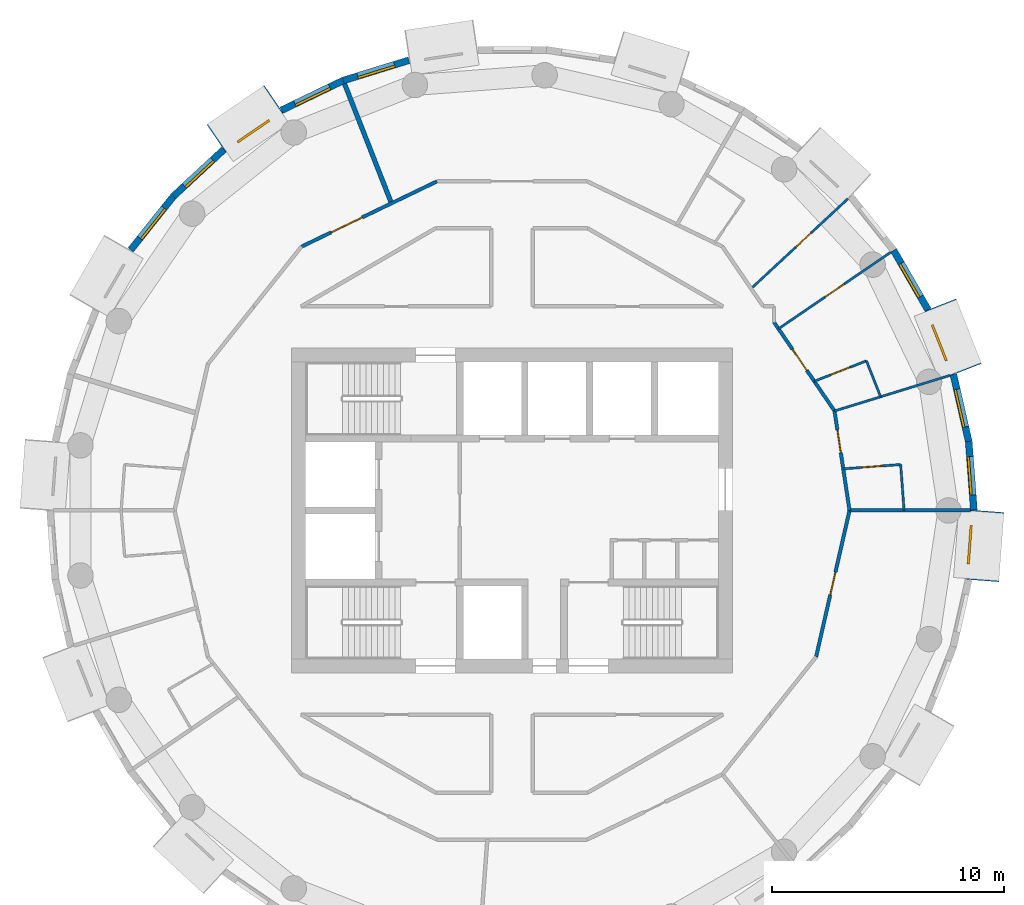
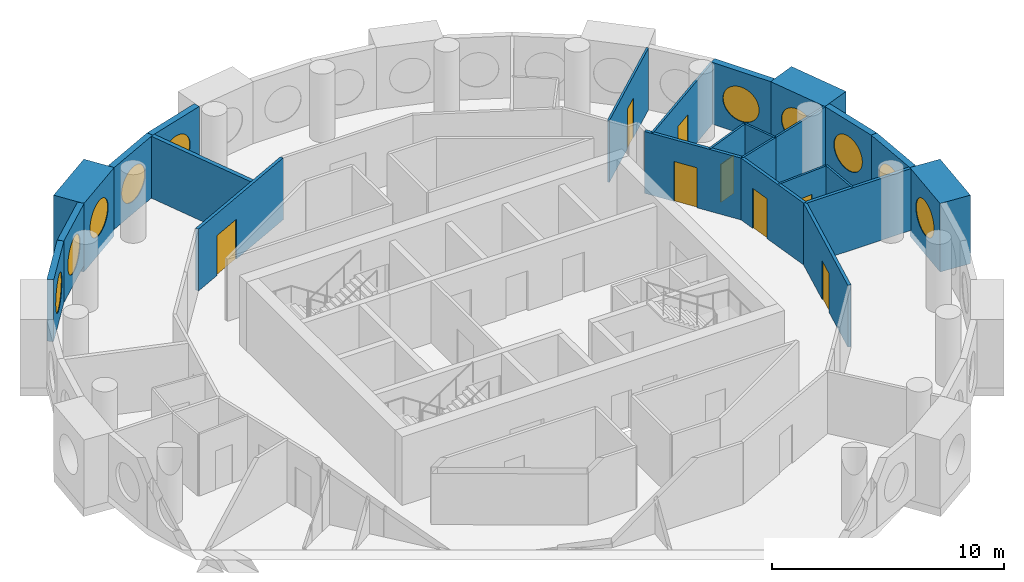
# One storey, part 9 of 12: 24 walls, 10 windows, 8 doors, 18 openings.
"""IFC4 building model written with IfcOpenShell, lengths in metres."""

from ifc_helpers import new_model, si_unit, direction, frame, frame_2d, origin, origin_2d, place, context, subcontext, project, spatial, rectangle, circle, extrude, material, layer, layer_set, type_object, element, fill, save


model = new_model("IFC4")

# Units and contexts
model_context = context("Model", 3, precision=1e-05, world=origin(), true_north=direction((0.0, 1.0)))
body_context = subcontext(model_context, "Body", "Model", "MODEL_VIEW")
ifc_project = project(units=[si_unit("LENGTHUNIT", "METRE"), si_unit("AREAUNIT", "SQUARE_METRE"), si_unit("VOLUMEUNIT", "CUBIC_METRE"), si_unit("PLANEANGLEUNIT", "RADIAN"), si_unit("MASSUNIT", "GRAM", prefix="KILO")], contexts=[model_context])

# Site, building, storey
site_placement = place(None, origin())
site = spatial("IfcSite", under=ifc_project, at=site_placement, CompositionType="ELEMENT")
building_placement = place(site_placement, origin())
building = spatial("IfcBuilding", under=site, at=building_placement, Name="Tracery Tower", CompositionType="ELEMENT")
storey_placement = place(building_placement, frame((0.0, 0.0, 234.60009765625)))
storey = spatial("IfcBuildingStorey", under=building, at=storey_placement, Name="L60", CompositionType="ELEMENT", Elevation=234.60009765625)

# Wall, opening, window
ifc_material_1 = material(Name="Precast concrete C50/60", Category="concrete")
ifc_layer_1 = layer(ifc_material_1, 1.449951171875)
ifc_layer_set_1 = layer_set([ifc_layer_1], Name="Deep-set bay unit 3000 x 3600, slab edge 350")
wall_type_1 = type_object("IfcWallType", Name="Deep-set bay unit 3000 x 3600, slab edge 350", PredefinedType="ELEMENTEDWALL", material=ifc_layer_set_1)
wall_1_placement = place(storey_placement, frame((19.576171875, 6.071533203125, -0.35009765625), z_axis=(0.0, 0.0, 1.0), x_axis=(-0.36537792632, 0.93085926485, 0.0)))
wall_1 = element("IfcWall", 1, at=wall_1_placement, inside=storey, type_object=wall_type_1, Name="Deep-set bay unit 3 at L60", PredefinedType="ELEMENTEDWALL", context=body_context, shape_type="SweptSolid", body=[
    extrude(rectangle(XDim=3.000244140625, YDim=1.449951171875, at=frame_2d((1.5, 0.0))), origin(), (0.0, 0.0, 1.0), 3.60009765625),
])
opening_1_placement = place(wall_1_placement, frame((1.5, 0.0, 1.89990234375)))
opening_1 = element("IfcOpeningElement", 2, at=opening_1_placement, cuts=wall_1, Name="Opening WN1", PredefinedType="OPENING", context=body_context, shape_type="SweptSolid", body=[
    extrude(circle(Radius=0.9000244140625, at=origin_2d()), frame((0.0, 0.73486328125, 0.0), z_axis=(0.0, -1.0, 0.0), x_axis=(1.0, 0.0, 0.0)), (0.0, 0.0, 1.0), 1.469970703125),
])
ifc_material_2 = material(Name="Aluminium frame with tinted double glazing", Category="aluminium")
window_type = type_object("IfcWindowType", Name="Round window 1800", PartitioningType="SINGLE_PANEL", PredefinedType="WINDOW", material=ifc_material_2)
window_1_placement = place(opening_1_placement, origin())
window_1 = element("IfcWindow", 3, at=window_1_placement, inside=storey, type_object=window_type, Name="Round window 3 at L60", OverallHeight=1.800048828125, OverallWidth=1.800048828125, PartitioningType="SINGLE_PANEL", PredefinedType="WINDOW", context=body_context, shape_type="SweptSolid", body=[
    extrude(circle(Radius=0.9000244140625, at=origin_2d()), frame((0.0, 0.69482421875, 0.0), z_axis=(0.0, -1.0, 0.0), x_axis=(1.0, 0.0, 0.0)), (0.0, 0.0, 1.0), 0.10009765625),
])
fill(opening_1, window_1)

wall_2_placement = place(storey_placement, frame((-10.275390625, 17.734130859375, -0.35009765625), z_axis=(0.0, 0.0, 1.0), x_axis=(-0.826246281157, -0.563309047392, 0.0)))
wall_2 = element("IfcWall", 4, at=wall_2_placement, inside=storey, type_object=wall_type_1, Name="Deep-set bay unit 15 at L60", PredefinedType="ELEMENTEDWALL", context=body_context, shape_type="SweptSolid", body=[
    extrude(rectangle(XDim=3.0, YDim=1.449951171875, at=frame_2d((1.5, 0.0))), origin(), (0.0, 0.0, 1.0), 3.60009765625),
])
opening_2_placement = place(wall_2_placement, frame((1.5, 0.0, 1.89990234375)))
opening_2 = element("IfcOpeningElement", 5, at=opening_2_placement, cuts=wall_2, Name="Opening WN1", PredefinedType="OPENING", context=body_context, shape_type="SweptSolid", body=[
    extrude(circle(Radius=0.9000244140625, at=origin_2d()), frame((0.0, 0.73486328125, 0.0), z_axis=(0.0, -1.0, 0.0), x_axis=(1.0, 0.0, 0.0)), (0.0, 0.0, 1.0), 1.469970703125),
])
window_2_placement = place(opening_2_placement, origin())
window_2 = element("IfcWindow", 6, at=window_2_placement, inside=storey, type_object=window_type, Name="Round window 15 at L60", OverallHeight=1.800048828125, OverallWidth=1.800048828125, PartitioningType="SINGLE_PANEL", PredefinedType="WINDOW", context=body_context, shape_type="SweptSolid", body=[
    extrude(circle(Radius=0.9000244140625, at=origin_2d()), frame((0.0, 0.69482421875, 0.0), z_axis=(0.0, -1.0, 0.0), x_axis=(1.0, 0.0, 0.0)), (0.0, 0.0, 1.0), 0.10009765625),
])
fill(opening_2, window_2)

wall_3_placement = place(storey_placement, frame((20.271728515625, -3.0234375, -0.35009765625), z_axis=(0.0, 0.0, 1.0), x_axis=(0.074785902127, 0.997199613339, 0.0)))
wall_3 = element("IfcWall", 7, at=wall_3_placement, inside=storey, type_object=wall_type_1, Name="Deep-set bay unit 42 at L60", PredefinedType="ELEMENTEDWALL", context=body_context, shape_type="SweptSolid", body=[
    extrude(rectangle(XDim=3.0, YDim=1.449951171875, at=frame_2d((1.5, 0.0))), origin(), (0.0, 0.0, 1.0), 3.60009765625),
])
opening_3_placement = place(wall_3_placement, frame((1.5, 0.0, 1.89990234375)))
opening_3 = element("IfcOpeningElement", 8, at=opening_3_placement, cuts=wall_3, Name="Opening WN1", PredefinedType="OPENING", context=body_context, shape_type="SweptSolid", body=[
    extrude(circle(Radius=0.9000244140625, at=origin_2d()), frame((0.0, 0.73486328125, 0.0), z_axis=(0.0, -1.0, 0.0), x_axis=(1.0, 0.0, 0.0)), (0.0, 0.0, 1.0), 1.469970703125),
])
window_3_placement = place(opening_3_placement, origin())
window_3 = element("IfcWindow", 9, at=window_3_placement, inside=storey, type_object=window_type, Name="Round window 42 at L60", OverallHeight=1.800048828125, OverallWidth=1.800048828125, PartitioningType="SINGLE_PANEL", PredefinedType="WINDOW", context=body_context, shape_type="SweptSolid", body=[
    extrude(circle(Radius=0.9000244140625, at=origin_2d()), frame((0.0, 0.69482421875, 0.0), z_axis=(0.0, -1.0, 0.0), x_axis=(1.0, 0.0, 0.0)), (0.0, 0.0, 1.0), 0.10009765625),
])
fill(opening_3, window_3)

ifc_material_3 = material(Name="Precast concrete C50/60", Category="concrete")
ifc_layer_2 = layer(ifc_material_3, 0.300048828125)
ifc_layer_set_2 = layer_set([ifc_layer_2], Name="Facade panel 3000 x 3250")
wall_type_2 = type_object("IfcWallType", Name="Facade panel 3000 x 3250", PredefinedType="SOLIDWALL", material=ifc_layer_set_2)
wall_4_placement = place(storey_placement, frame((19.920654296875, 0.01513671875, 0.0), z_axis=(0.0, 0.0, 1.0), x_axis=(-0.07474897196, 0.997202382263, 0.0)))
wall_4 = element("IfcWall", 10, at=wall_4_placement, inside=storey, type_object=wall_type_2, Name="Facade panel 1 at L60", PredefinedType="SOLIDWALL", context=body_context, shape_type="SweptSolid", body=[
    extrude(rectangle(XDim=2.96240234375, YDim=0.300048828125, at=frame_2d((1.481201171875, 0.0))), origin(), (0.0, 0.0, 1.0), 3.25),
])
opening_4_placement = place(wall_4_placement, frame((1.48095703125, 0.0, 1.5498046875)))
opening_4 = element("IfcOpeningElement", 11, at=opening_4_placement, cuts=wall_4, Name="Opening WN1", PredefinedType="OPENING", context=body_context, shape_type="SweptSolid", body=[
    extrude(circle(Radius=0.9000244140625, at=origin_2d()), frame((0.0, 0.159912109375, 0.0), z_axis=(0.0, -1.0, 0.0), x_axis=(1.0, 0.0, 0.0)), (0.0, 0.0, 1.0), 0.320068359375),
])
window_4_placement = place(opening_4_placement, origin())
window_4 = element("IfcWindow", 12, at=window_4_placement, inside=storey, type_object=window_type, Name="Round window 1 at L60", OverallHeight=1.800048828125, OverallWidth=1.800048828125, PartitioningType="SINGLE_PANEL", PredefinedType="WINDOW", context=body_context, shape_type="SweptSolid", body=[
    extrude(circle(Radius=0.9000244140625, at=origin_2d()), frame((0.0, 0.1201171875, 0.0), z_axis=(0.0, -1.0, 0.0), x_axis=(1.0, 0.0, 0.0)), (0.0, 0.0, 1.0), 0.10009765625),
])
fill(opening_4, window_4)

wall_5_placement = place(storey_placement, frame((19.69921875, 2.96923828125, 0.0), z_axis=(0.0, 0.0, 1.0), x_axis=(-0.222529389789, 0.974925982155, 0.0)))
wall_5 = element("IfcWall", 13, at=wall_5_placement, inside=storey, type_object=wall_type_2, Name="Facade panel 2 at L60", PredefinedType="SOLIDWALL", context=body_context, shape_type="SweptSolid", body=[
    extrude(rectangle(XDim=2.962158203125, YDim=0.300048828125, at=frame_2d((1.48095703125, 0.0))), origin(), (0.0, 0.0, 1.0), 3.25),
])
opening_5_placement = place(wall_5_placement, frame((1.48095703125, 0.0, 1.5498046875)))
opening_5 = element("IfcOpeningElement", 14, at=opening_5_placement, cuts=wall_5, Name="Opening WN1", PredefinedType="OPENING", context=body_context, shape_type="SweptSolid", body=[
    extrude(circle(Radius=0.9000244140625, at=origin_2d()), frame((0.0, 0.159912109375, 0.0), z_axis=(0.0, -1.0, 0.0), x_axis=(1.0, 0.0, 0.0)), (0.0, 0.0, 1.0), 0.320068359375),
])
window_5_placement = place(opening_5_placement, origin())
window_5 = element("IfcWindow", 15, at=window_5_placement, inside=storey, type_object=window_type, Name="Round window 2 at L60", OverallHeight=1.800048828125, OverallWidth=1.800048828125, PartitioningType="SINGLE_PANEL", PredefinedType="WINDOW", context=body_context, shape_type="SweptSolid", body=[
    extrude(circle(Radius=0.9000244140625, at=origin_2d()), frame((0.0, 0.1201171875, 0.0), z_axis=(0.0, -1.0, 0.0), x_axis=(1.0, 0.0, 0.0)), (0.0, 0.0, 1.0), 0.10009765625),
])
fill(opening_5, window_5)

wall_6_placement = place(storey_placement, frame((17.941162109375, 8.656982421875, 0.0), z_axis=(0.0, 0.0, 1.0), x_axis=(-0.499950756475, 0.86605383268, 0.0)))
wall_6 = element("IfcWall", 16, at=wall_6_placement, inside=storey, type_object=wall_type_2, Name="Facade panel 4 at L60", PredefinedType="SOLIDWALL", context=body_context, shape_type="SweptSolid", body=[
    extrude(rectangle(XDim=2.962158203125, YDim=0.300048828125, at=frame_2d((1.48095703125, 0.0))), origin(), (0.0, 0.0, 1.0), 3.25),
])
opening_6_placement = place(wall_6_placement, frame((1.48095703125, 0.0, 1.5498046875)))
opening_6 = element("IfcOpeningElement", 17, at=opening_6_placement, cuts=wall_6, Name="Opening WN1", PredefinedType="OPENING", context=body_context, shape_type="SweptSolid", body=[
    extrude(circle(Radius=0.9000244140625, at=origin_2d()), frame((0.0, 0.159912109375, 0.0), z_axis=(0.0, -1.0, 0.0), x_axis=(1.0, 0.0, 0.0)), (0.0, 0.0, 1.0), 0.320068359375),
])
window_6_placement = place(opening_6_placement, origin())
window_6 = element("IfcWindow", 18, at=window_6_placement, inside=storey, type_object=window_type, Name="Round window 4 at L60", OverallHeight=1.800048828125, OverallWidth=1.800048828125, PartitioningType="SINGLE_PANEL", PredefinedType="WINDOW", context=body_context, shape_type="SweptSolid", body=[
    extrude(circle(Radius=0.9000244140625, at=origin_2d()), frame((0.0, 0.1201171875, 0.0), z_axis=(0.0, -1.0, 0.0), x_axis=(1.0, 0.0, 0.0)), (0.0, 0.0, 1.0), 0.10009765625),
])
fill(opening_6, window_6)

wall_7_placement = place(storey_placement, frame((-4.447509765625, 19.417724609375, 0.0), z_axis=(0.0, 0.0, 1.0), x_axis=(-0.95558635705, -0.294711238707, 0.0)))
wall_7 = element("IfcWall", 19, at=wall_7_placement, inside=storey, type_object=wall_type_2, Name="Facade panel 13 at L60", PredefinedType="SOLIDWALL", context=body_context, shape_type="SweptSolid", body=[
    extrude(rectangle(XDim=2.96240234375, YDim=0.300048828125, at=frame_2d((1.481201171875, 0.0))), origin(), (0.0, 0.0, 1.0), 3.25),
])
opening_7_placement = place(wall_7_placement, frame((1.48095703125, 0.0, 1.5498046875)))
opening_7 = element("IfcOpeningElement", 20, at=opening_7_placement, cuts=wall_7, Name="Opening WN1", PredefinedType="OPENING", context=body_context, shape_type="SweptSolid", body=[
    extrude(circle(Radius=0.9000244140625, at=origin_2d()), frame((0.0, 0.159912109375, 0.0), z_axis=(0.0, -1.0, 0.0), x_axis=(1.0, 0.0, 0.0)), (0.0, 0.0, 1.0), 0.320068359375),
])
window_7_placement = place(opening_7_placement, origin())
window_7 = element("IfcWindow", 21, at=window_7_placement, inside=storey, type_object=window_type, Name="Round window 13 at L60", OverallHeight=1.800048828125, OverallWidth=1.800048828125, PartitioningType="SINGLE_PANEL", PredefinedType="WINDOW", context=body_context, shape_type="SweptSolid", body=[
    extrude(circle(Radius=0.9000244140625, at=origin_2d()), frame((0.0, 0.1201171875, 0.0), z_axis=(0.0, -1.0, 0.0), x_axis=(1.0, 0.0, 0.0)), (0.0, 0.0, 1.0), 0.10009765625),
])
fill(opening_7, window_7)

wall_8_placement = place(storey_placement, frame((-7.2783203125, 18.544677734375, 0.0), z_axis=(0.0, 0.0, 1.0), x_axis=(-0.900939615635, -0.433944476838, 0.0)))
wall_8 = element("IfcWall", 22, at=wall_8_placement, inside=storey, type_object=wall_type_2, Name="Facade panel 14 at L60", PredefinedType="SOLIDWALL", context=body_context, shape_type="SweptSolid", body=[
    extrude(rectangle(XDim=2.962158203125, YDim=0.300048828125, at=frame_2d((1.48095703125, 0.0))), origin(), (0.0, 0.0, 1.0), 3.25),
])
opening_8_placement = place(wall_8_placement, frame((1.48095703125, 0.0, 1.5498046875)))
opening_8 = element("IfcOpeningElement", 23, at=opening_8_placement, cuts=wall_8, Name="Opening WN1", PredefinedType="OPENING", context=body_context, shape_type="SweptSolid", body=[
    extrude(circle(Radius=0.9000244140625, at=origin_2d()), frame((0.0, 0.159912109375, 0.0), z_axis=(0.0, -1.0, 0.0), x_axis=(1.0, 0.0, 0.0)), (0.0, 0.0, 1.0), 0.320068359375),
])
window_8_placement = place(opening_8_placement, origin())
window_8 = element("IfcWindow", 24, at=window_8_placement, inside=storey, type_object=window_type, Name="Round window 14 at L60", OverallHeight=1.800048828125, OverallWidth=1.800048828125, PartitioningType="SINGLE_PANEL", PredefinedType="WINDOW", context=body_context, shape_type="SweptSolid", body=[
    extrude(circle(Radius=0.9000244140625, at=origin_2d()), frame((0.0, 0.1201171875, 0.0), z_axis=(0.0, -1.0, 0.0), x_axis=(1.0, 0.0, 0.0)), (0.0, 0.0, 1.0), 0.10009765625),
])
fill(opening_8, window_8)

wall_9_placement = place(storey_placement, frame((-12.43212890625, 15.565185546875, 0.0), z_axis=(0.0, 0.0, 1.0), x_axis=(-0.733066412643, -0.680157066165, 0.0)))
wall_9 = element("IfcWall", 25, at=wall_9_placement, inside=storey, type_object=wall_type_2, Name="Facade panel 16 at L60", PredefinedType="SOLIDWALL", context=body_context, shape_type="SweptSolid", body=[
    extrude(rectangle(XDim=2.96240234375, YDim=0.300048828125, at=frame_2d((1.481201171875, 0.0))), origin(), (0.0, 0.0, 1.0), 3.25),
])
opening_9_placement = place(wall_9_placement, frame((1.48095703125, 0.0, 1.5498046875)))
opening_9 = element("IfcOpeningElement", 26, at=opening_9_placement, cuts=wall_9, Name="Opening WN1", PredefinedType="OPENING", context=body_context, shape_type="SweptSolid", body=[
    extrude(circle(Radius=0.9000244140625, at=origin_2d()), frame((0.0, 0.159912109375, 0.0), z_axis=(0.0, -1.0, 0.0), x_axis=(1.0, 0.0, 0.0)), (0.0, 0.0, 1.0), 0.320068359375),
])
window_9_placement = place(opening_9_placement, origin())
window_9 = element("IfcWindow", 27, at=window_9_placement, inside=storey, type_object=window_type, Name="Round window 16 at L60", OverallHeight=1.800048828125, OverallWidth=1.800048828125, PartitioningType="SINGLE_PANEL", PredefinedType="WINDOW", context=body_context, shape_type="SweptSolid", body=[
    extrude(circle(Radius=0.9000244140625, at=origin_2d()), frame((0.0, 0.1201171875, 0.0), z_axis=(0.0, -1.0, 0.0), x_axis=(1.0, 0.0, 0.0)), (0.0, 0.0, 1.0), 0.10009765625),
])
fill(opening_9, window_9)

wall_10_placement = place(storey_placement, frame((-14.603759765625, 13.55029296875, 0.0), z_axis=(0.0, 0.0, 1.0), x_axis=(-0.623498236992, -0.781824755599, 0.0)))
wall_10 = element("IfcWall", 28, at=wall_10_placement, inside=storey, type_object=wall_type_2, Name="Facade panel 17 at L60", PredefinedType="SOLIDWALL", context=body_context, shape_type="SweptSolid", body=[
    extrude(rectangle(XDim=2.962158203125, YDim=0.300048828125, at=frame_2d((1.48095703125, 0.0))), origin(), (0.0, 0.0, 1.0), 3.25),
])
opening_10_placement = place(wall_10_placement, frame((1.48095703125, 0.0, 1.5498046875)))
opening_10 = element("IfcOpeningElement", 29, at=opening_10_placement, cuts=wall_10, Name="Opening WN1", PredefinedType="OPENING", context=body_context, shape_type="SweptSolid", body=[
    extrude(circle(Radius=0.9000244140625, at=origin_2d()), frame((0.0, 0.159912109375, 0.0), z_axis=(0.0, -1.0, 0.0), x_axis=(1.0, 0.0, 0.0)), (0.0, 0.0, 1.0), 0.320068359375),
])
window_10_placement = place(opening_10_placement, origin())
window_10 = element("IfcWindow", 30, at=window_10_placement, inside=storey, type_object=window_type, Name="Round window 17 at L60", OverallHeight=1.800048828125, OverallWidth=1.800048828125, PartitioningType="SINGLE_PANEL", PredefinedType="WINDOW", context=body_context, shape_type="SweptSolid", body=[
    extrude(circle(Radius=0.9000244140625, at=origin_2d()), frame((0.0, 0.1201171875, 0.0), z_axis=(0.0, -1.0, 0.0), x_axis=(1.0, 0.0, 0.0)), (0.0, 0.0, 1.0), 0.10009765625),
])
fill(opening_10, window_10)

# Wall, opening, door
ifc_material_4 = material(Name="Plasterboard on steel studs", Category="steel")
ifc_layer_3 = layer(ifc_material_4, 0.10009765625)
ifc_layer_set_3 = layer_set([ifc_layer_3], Name="Partition 100 stud")
wall_type_3 = type_object("IfcWallType", Name="Partition 100 stud", PredefinedType="PARTITIONING", material=ifc_layer_set_3)
wall_11_placement = place(storey_placement, frame((11.492919921875, 7.8359375, 0.0), z_axis=(0.0, 0.0, 1.0), x_axis=(0.826231748746, 0.563330362544, 0.0)))
wall_11 = element("IfcWall", 31, at=wall_11_placement, inside=storey, type_object=wall_type_3, Name="Stud partition RC1-046", PredefinedType="PARTITIONING", context=body_context, shape_type="SweptSolid", body=[
    extrude(rectangle(XDim=5.861572265625, YDim=0.10009765625, at=frame_2d((2.9306640625, 0.0))), origin(), (0.0, 0.0, 1.0), 3.25),
])
opening_11_placement = place(wall_11_placement, frame((2.430908203125, 0.0, 0.0)))
opening_11 = element("IfcOpeningElement", 32, at=opening_11_placement, cuts=wall_11, Name="Opening RC1-06", PredefinedType="OPENING", context=body_context, shape_type="SweptSolid", body=[
    extrude(rectangle(XDim=1.0, YDim=2.0400390625, at=frame_2d((0.5, 1.02001953125))), frame((0.0, 0.050048828125, 0.0), z_axis=(0.0, -1.0, 0.0), x_axis=(1.0, 0.0, 0.0)), (0.0, 0.0, 1.0), 0.10009765625),
])
ifc_material_5 = material(Name="Timber door leaf", Category="wood")
door_type_1 = type_object("IfcDoorType", Name="Door communal room 1000", OperationType="NOTDEFINED", PredefinedType="DOOR", material=ifc_material_5)
door_1_placement = place(opening_11_placement, origin())
door_1 = element("IfcDoor", 33, at=door_1_placement, inside=storey, type_object=door_type_1, Name="Communal room door RC1-06", OperationType="SINGLE_SWING_RIGHT", OverallHeight=2.0400390625, OverallWidth=1.0, PredefinedType="DOOR", context=body_context, shape_type="SweptSolid", body=[
    extrude(rectangle(XDim=1.0, YDim=2.0400390625, at=frame_2d((0.5, 1.02001953125))), frame((0.0, 0.02490234375, 0.0), z_axis=(0.0, -1.0, 0.0), x_axis=(1.0, 0.0, 0.0)), (0.0, 0.0, 1.0), 0.050048828125),
])
fill(opening_11, door_1)

# Wall
wall_12_placement = place(storey_placement, frame((15.89599609375, 4.904052734375, 0.0), z_axis=(0.0, 0.0, 1.0), x_axis=(0.955630770746, 0.294567190983, 0.0)))
element("IfcWall", 34, at=wall_12_placement, inside=storey, type_object=wall_type_3, Name="Stud partition RC1-049", PredefinedType="PARTITIONING", context=body_context, shape_type="SweptSolid", body=[
    extrude(rectangle(XDim=3.13623046875, YDim=0.10009765625, at=frame_2d((1.568115234375, 0.0))), origin(), (0.0, 0.0, 1.0), 3.25),
])

# Wall, opening, door
wall_13_placement = place(storey_placement, frame((10.31201171875, 9.568115234375, 0.0), z_axis=(0.0, 0.0, 1.0), x_axis=(0.733002312561, 0.680226146057, 0.0)))
wall_13 = element("IfcWall", 35, at=wall_13_placement, inside=storey, type_object=wall_type_3, Name="Stud partition RC1-050", PredefinedType="PARTITIONING", context=body_context, shape_type="SweptSolid", body=[
    extrude(rectangle(XDim=5.703857421875, YDim=0.10009765625, at=frame_2d((2.85205078125, 0.0))), origin(), (0.0, 0.0, 1.0), 3.25),
])
opening_12_placement = place(wall_13_placement, frame((2.6220703125, 0.0, 0.0)))
opening_12 = element("IfcOpeningElement", 36, at=opening_12_placement, cuts=wall_13, Name="Opening RC1-10", PredefinedType="OPENING", context=body_context, shape_type="SweptSolid", body=[
    extrude(rectangle(XDim=0.89990234375, YDim=2.10009765625, at=frame_2d((0.449951171875, 1.050048828125))), frame((0.0, 0.050048828125, 0.0), z_axis=(0.0, -1.0, 0.0), x_axis=(1.0, 0.0, 0.0)), (0.0, 0.0, 1.0), 0.10009765625),
])
ifc_material_6 = material(Name="Timber door leaf", Category="wood")
door_type_2 = type_object("IfcDoorType", Name="Door bedroom 900", OperationType="NOTDEFINED", PredefinedType="DOOR", material=ifc_material_6)
door_2_placement = place(opening_12_placement, origin())
door_2 = element("IfcDoor", 37, at=door_2_placement, inside=storey, type_object=door_type_2, Name="Bedroom door RC1-10", OperationType="SINGLE_SWING_RIGHT", OverallHeight=2.10009765625, OverallWidth=0.89990234375, PredefinedType="DOOR", context=body_context, shape_type="SweptSolid", body=[
    extrude(rectangle(XDim=0.89990234375, YDim=2.10009765625, at=frame_2d((0.449951171875, 1.050048828125))), frame((0.0, 0.02490234375, 0.0), z_axis=(0.0, -1.0, 0.0), x_axis=(1.0, 0.0, 0.0)), (0.0, 0.0, 1.0), 0.050048828125),
])
fill(opening_12, door_2)

# Wall
ifc_material_7 = material(Name="Plasterboard on steel studs", Category="steel")
ifc_layer_4 = layer(ifc_material_7, 0.10009765625)
ifc_layer_set_4 = layer_set([ifc_layer_4], Name="Partition 100 wet wall")
wall_type_4 = type_object("IfcWallType", Name="Partition 100 wet wall", PredefinedType="PARTITIONING", material=ifc_layer_set_4)
wall_14_placement = place(storey_placement, frame((15.287109375, 6.4541015625, 0.0), z_axis=(0.0, 0.0, 1.0), x_axis=(0.365620622357, -0.930763966056, 0.0)))
element("IfcWall", 38, at=wall_14_placement, inside=storey, type_object=wall_type_4, Name="Wet wall RC1-047", PredefinedType="PARTITIONING", context=body_context, shape_type="SweptSolid", body=[
    extrude(rectangle(XDim=1.665283203125, YDim=0.10009765625, at=frame_2d((0.83251953125, 0.0))), origin(), (0.0, 0.0, 1.0), 3.25),
])

# Wall, opening, door
wall_15_placement = place(storey_placement, frame((13.037109375, 5.571044921875, 0.0), z_axis=(0.0, 0.0, 1.0), x_axis=(0.930874211086, 0.365339846083, 0.0)))
wall_15 = element("IfcWall", 39, at=wall_15_placement, inside=storey, type_object=wall_type_4, Name="Wet wall RC1-048", PredefinedType="PARTITIONING", context=body_context, shape_type="SweptSolid", body=[
    extrude(rectangle(XDim=2.4169921875, YDim=0.10009765625, at=frame_2d((1.20849609375, 0.0))), origin(), (0.0, 0.0, 1.0), 3.25),
])
opening_13_placement = place(wall_15_placement, frame((0.758056640625, 0.0, 0.0)))
opening_13 = element("IfcOpeningElement", 40, at=opening_13_placement, cuts=wall_15, Name="Opening RC1-07", PredefinedType="OPENING", context=body_context, shape_type="SweptSolid", body=[
    extrude(rectangle(XDim=0.89990234375, YDim=2.0, at=frame_2d((0.449951171875, 1.0))), frame((0.0, 0.050048828125, 0.0), z_axis=(0.0, -1.0, 0.0), x_axis=(1.0, 0.0, 0.0)), (0.0, 0.0, 1.0), 0.10009765625),
])
ifc_material_8 = material(Name="Timber door leaf", Category="wood")
door_type_3 = type_object("IfcDoorType", Name="Door shower room 900", OperationType="NOTDEFINED", PredefinedType="DOOR", material=ifc_material_8)
door_3_placement = place(opening_13_placement, origin())
door_3 = element("IfcDoor", 41, at=door_3_placement, inside=storey, type_object=door_type_3, Name="Shower room door RC1-07", OperationType="SINGLE_SWING_RIGHT", OverallHeight=2.0, OverallWidth=0.89990234375, PredefinedType="DOOR", context=body_context, shape_type="SweptSolid", body=[
    extrude(rectangle(XDim=0.89990234375, YDim=2.0, at=frame_2d((0.449951171875, 1.0))), frame((0.0, 0.02490234375, 0.0), z_axis=(0.0, -1.0, 0.0), x_axis=(1.0, 0.0, 0.0)), (0.0, 0.0, 1.0), 0.050048828125),
])
fill(opening_13, door_3)

# Walls
wall_16_placement = place(storey_placement, frame((13.909912109375, 4.291015625, 0.0), z_axis=(0.0, 0.0, 1.0), x_axis=(0.955649377322, 0.294506821014, 0.0)))
element("IfcWall", 42, at=wall_16_placement, inside=storey, type_object=wall_type_4, Name="Wet wall RC1-051", PredefinedType="PARTITIONING", context=body_context, shape_type="SweptSolid", body=[
    extrude(rectangle(XDim=2.078369140625, YDim=0.10009765625, at=frame_2d((1.0390625, 0.0))), origin(), (0.0, 0.0, 1.0), 3.25),
])
wall_17_placement = place(storey_placement, frame((16.761962890625, 1.98095703125, 0.0), z_axis=(0.0, 0.0, 1.0), x_axis=(0.074478298815, -0.997222634624, 0.0)))
element("IfcWall", 43, at=wall_17_placement, inside=storey, type_object=wall_type_4, Name="Wet wall RC1-052", PredefinedType="PARTITIONING", context=body_context, shape_type="SweptSolid", body=[
    extrude(rectangle(XDim=1.986572265625, YDim=0.10009765625, at=frame_2d((0.9931640625, 0.0))), origin(), (0.0, 0.0, 1.0), 3.25),
])

# Wall, opening, door
wall_18_placement = place(storey_placement, frame((14.285888671875, 1.794921875, 0.0), z_axis=(0.0, 0.0, 1.0), x_axis=(0.997189401658, 0.074921940846, 0.0)))
wall_18 = element("IfcWall", 44, at=wall_18_placement, inside=storey, type_object=wall_type_4, Name="Wet wall RC1-053", PredefinedType="PARTITIONING", context=body_context, shape_type="SweptSolid", body=[
    extrude(rectangle(XDim=2.483154296875, YDim=0.10009765625, at=frame_2d((1.24169921875, 0.0))), origin(), (0.0, 0.0, 1.0), 3.25),
])
opening_14_placement = place(wall_18_placement, frame((0.7919921875, 0.0, 0.0)))
opening_14 = element("IfcOpeningElement", 45, at=opening_14_placement, cuts=wall_18, Name="Opening RC1-09", PredefinedType="OPENING", context=body_context, shape_type="SweptSolid", body=[
    extrude(rectangle(XDim=0.89990234375, YDim=2.0400390625, at=frame_2d((0.449951171875, 1.02001953125))), frame((0.0, 0.050048828125, 0.0), z_axis=(0.0, -1.0, 0.0), x_axis=(1.0, 0.0, 0.0)), (0.0, 0.0, 1.0), 0.10009765625),
])
ifc_material_9 = material(Name="Timber door leaf", Category="wood")
door_type_4 = type_object("IfcDoorType", Name="Door en-suite 900", OperationType="NOTDEFINED", PredefinedType="DOOR", material=ifc_material_9)
door_4_placement = place(opening_14_placement, origin())
door_4 = element("IfcDoor", 46, at=door_4_placement, inside=storey, type_object=door_type_4, Name="En-suite door RC1-09", OperationType="SINGLE_SWING_LEFT", OverallHeight=2.0400390625, OverallWidth=0.89990234375, PredefinedType="DOOR", context=body_context, shape_type="SweptSolid", body=[
    extrude(rectangle(XDim=0.89990234375, YDim=2.0400390625, at=frame_2d((0.449951171875, 1.02001953125))), frame((0.0, 0.02490234375, 0.0), z_axis=(0.0, -1.0, 0.0), x_axis=(1.0, 0.0, 0.0)), (0.0, 0.0, 1.0), 0.050048828125),
])
fill(opening_14, door_4)

# Wall
ifc_material_10 = material(Name="Plasterboard on steel studs", Category="steel")
ifc_layer_5 = layer(ifc_material_10, 0.14990234375)
ifc_layer_set_5 = layer_set([ifc_layer_5], Name="Partition 150 acoustic unit wall")
wall_type_5 = type_object("IfcWallType", Name="Partition 150 acoustic unit wall", PredefinedType="PARTITIONING", material=ifc_layer_set_5)
wall_19_placement = place(storey_placement, frame((14.556884765625, 0.0, 0.0), z_axis=(0.0, 0.0, 1.0), x_axis=(1.0, 0.0, 0.0)))
element("IfcWall", 47, at=wall_19_placement, inside=storey, type_object=wall_type_5, Name="Unit wall RC1-054", PredefinedType="PARTITIONING", context=body_context, shape_type="SweptSolid", body=[
    extrude(rectangle(XDim=5.214111328125, YDim=0.14990234375, at=frame_2d((2.60693359375, 0.0))), origin(), (0.0, 0.0, 1.0), 3.25),
])

# Wall, opening, door
ifc_material_11 = material(Name="Plasterboard on steel studs", Category="steel")
ifc_layer_6 = layer(ifc_material_11, 0.14990234375)
ifc_layer_set_6 = layer_set([ifc_layer_6], Name="Partition 150 corridor wall")
wall_type_6 = type_object("IfcWallType", Name="Partition 150 corridor wall", PredefinedType="PARTITIONING", material=ifc_layer_set_6)
wall_20_placement = place(storey_placement, frame((11.300048828125, 8.118896484375, 0.0), z_axis=(0.0, 0.0, 1.0), x_axis=(0.56348561488, -0.82612587529, 0.0)))
wall_20 = element("IfcWall", 48, at=wall_20_placement, inside=storey, type_object=wall_type_6, Name="Corridor wall RC1-021", PredefinedType="PARTITIONING", context=body_context, shape_type="SweptSolid", body=[
    extrude(rectangle(XDim=4.633056640625, YDim=0.14990234375, at=frame_2d((2.31640625, 0.0))), origin(), (0.0, 0.0, 1.0), 3.25),
])
opening_15_placement = place(wall_20_placement, frame((1.412841796875, 0.0, 0.0)))
opening_15 = element("IfcOpeningElement", 49, at=opening_15_placement, cuts=wall_20, Name="Opening RC1-05", PredefinedType="OPENING", context=body_context, shape_type="SweptSolid", body=[
    extrude(rectangle(XDim=1.10009765625, YDim=2.10009765625, at=frame_2d((0.550048828125, 1.050048828125))), frame((0.0, 0.074951171875, 0.0), z_axis=(0.0, -1.0, 0.0), x_axis=(1.0, 0.0, 0.0)), (0.0, 0.0, 1.0), 0.14990234375),
])
ifc_material_12 = material(Name="Timber door leaf", Category="wood")
door_type_5 = type_object("IfcDoorType", Name="Door cluster entrance 1100", OperationType="NOTDEFINED", PredefinedType="DOOR", material=ifc_material_12)
door_5_placement = place(opening_15_placement, origin())
door_5 = element("IfcDoor", 50, at=door_5_placement, inside=storey, type_object=door_type_5, Name="Cluster entrance door RC1-05", OperationType="SINGLE_SWING_RIGHT", OverallHeight=2.10009765625, OverallWidth=1.10009765625, PredefinedType="DOOR", context=body_context, shape_type="SweptSolid", body=[
    extrude(rectangle(XDim=1.10009765625, YDim=2.10009765625, at=frame_2d((0.550048828125, 1.050048828125))), frame((0.0, 0.02490234375, 0.0), z_axis=(0.0, -1.0, 0.0), x_axis=(1.0, 0.0, 0.0)), (0.0, 0.0, 1.0), 0.050048828125),
])
fill(opening_15, door_5)

wall_21_placement = place(storey_placement, frame((13.909912109375, 4.291015625, 0.0), z_axis=(0.0, 0.0, 1.0), x_axis=(0.149143716951, -0.988815529659, 0.0)))
wall_21 = element("IfcWall", 51, at=wall_21_placement, inside=storey, type_object=wall_type_6, Name="Corridor wall RC1-022", PredefinedType="PARTITIONING", context=body_context, shape_type="SweptSolid", body=[
    extrude(rectangle(XDim=4.339599609375, YDim=0.14990234375, at=frame_2d((2.169921875, 0.0))), origin(), (0.0, 0.0, 1.0), 3.25),
])
opening_16_placement = place(wall_21_placement, frame((0.821044921875, 0.0, 0.0)))
opening_16 = element("IfcOpeningElement", 52, at=opening_16_placement, cuts=wall_21, Name="Opening RC1-08", PredefinedType="OPENING", context=body_context, shape_type="SweptSolid", body=[
    extrude(rectangle(XDim=1.0, YDim=2.10009765625, at=frame_2d((0.5, 1.050048828125))), frame((0.0, 0.074951171875, 0.0), z_axis=(0.0, -1.0, 0.0), x_axis=(1.0, 0.0, 0.0)), (0.0, 0.0, 1.0), 0.14990234375),
])
ifc_material_13 = material(Name="Timber door leaf", Category="wood")
door_type_6 = type_object("IfcDoorType", Name="Door unit entrance 1000", OperationType="NOTDEFINED", PredefinedType="DOOR", material=ifc_material_13)
door_6_placement = place(opening_16_placement, origin())
door_6 = element("IfcDoor", 53, at=door_6_placement, inside=storey, type_object=door_type_6, Name="Unit entrance door RC1-08", OperationType="SINGLE_SWING_RIGHT", OverallHeight=2.10009765625, OverallWidth=1.0, PredefinedType="DOOR", context=body_context, shape_type="SweptSolid", body=[
    extrude(rectangle(XDim=1.0, YDim=2.10009765625, at=frame_2d((0.5, 1.050048828125))), frame((0.0, 0.02490234375, 0.0), z_axis=(0.0, -1.0, 0.0), x_axis=(1.0, 0.0, 0.0)), (0.0, 0.0, 1.0), 0.050048828125),
])
fill(opening_16, door_6)

wall_22_placement = place(storey_placement, frame((13.114990234375, -6.31591796875, 0.0), z_axis=(0.0, 0.0, 1.0), x_axis=(0.222568978642, 0.97491694505, 0.0)))
wall_22 = element("IfcWall", 54, at=wall_22_placement, inside=storey, type_object=wall_type_6, Name="Corridor wall RC1-023", PredefinedType="PARTITIONING", context=body_context, shape_type="SweptSolid", body=[
    extrude(rectangle(XDim=6.478515625, YDim=0.14990234375, at=frame_2d((3.2392578125, 0.0))), origin(), (0.0, 0.0, 1.0), 3.25),
])
opening_17_placement = place(wall_22_placement, frame((2.739501953125, 0.0, 0.0)))
opening_17 = element("IfcOpeningElement", 55, at=opening_17_placement, cuts=wall_22, Name="Opening RC1-22", PredefinedType="OPENING", context=body_context, shape_type="SweptSolid", body=[
    extrude(rectangle(XDim=1.0, YDim=2.0400390625, at=frame_2d((0.5, 1.02001953125))), frame((0.0, 0.074951171875, 0.0), z_axis=(0.0, -1.0, 0.0), x_axis=(1.0, 0.0, 0.0)), (0.0, 0.0, 1.0), 0.14990234375),
])
door_7_placement = place(opening_17_placement, origin())
door_7 = element("IfcDoor", 56, at=door_7_placement, inside=storey, type_object=door_type_1, Name="Communal room door RC1-22", OperationType="SINGLE_SWING_LEFT", OverallHeight=2.0400390625, OverallWidth=1.0, PredefinedType="DOOR", context=body_context, shape_type="SweptSolid", body=[
    extrude(rectangle(XDim=1.0, YDim=2.0400390625, at=frame_2d((0.5, 1.02001953125))), frame((0.0, 0.02490234375, 0.0), z_axis=(0.0, -1.0, 0.0), x_axis=(1.0, 0.0, 0.0)), (0.0, 0.0, 1.0), 0.050048828125),
])
fill(opening_17, door_7)

wall_23_placement = place(storey_placement, frame((-9.0751953125, 11.37939453125, 0.0), z_axis=(0.0, 0.0, 1.0), x_axis=(0.900851590682, 0.434127183629, 0.0)))
wall_23 = element("IfcWall", 57, at=wall_23_placement, inside=storey, type_object=wall_type_6, Name="Corridor wall RC1-031", PredefinedType="PARTITIONING", context=body_context, shape_type="SweptSolid", body=[
    extrude(rectangle(XDim=6.478515625, YDim=0.14990234375, at=frame_2d((3.2392578125, 0.0))), origin(), (0.0, 0.0, 1.0), 3.25),
])
opening_18_placement = place(wall_23_placement, frame((1.404052734375, 0.0, 0.0)))
opening_18 = element("IfcOpeningElement", 58, at=opening_18_placement, cuts=wall_23, Name="Opening RC1-13", PredefinedType="OPENING", context=body_context, shape_type="SweptSolid", body=[
    extrude(rectangle(XDim=1.5, YDim=2.10009765625, at=frame_2d((0.75, 1.050048828125))), frame((0.0, 0.074951171875, 0.0), z_axis=(0.0, -1.0, 0.0), x_axis=(1.0, 0.0, 0.0)), (0.0, 0.0, 1.0), 0.14990234375),
])
ifc_material_14 = material(Name="Timber door leaf", Category="wood")
door_type_7 = type_object("IfcDoorType", Name="Door double kitchen 1500", OperationType="NOTDEFINED", PredefinedType="DOOR", material=ifc_material_14)
door_8_placement = place(opening_18_placement, origin())
door_8 = element("IfcDoor", 59, at=door_8_placement, inside=storey, type_object=door_type_7, Name="Double kitchen door RC1-13", OperationType="DOUBLE_DOOR_SINGLE_SWING", OverallHeight=2.10009765625, OverallWidth=1.5, PredefinedType="DOOR", context=body_context, shape_type="SweptSolid", body=[
    extrude(rectangle(XDim=1.5, YDim=2.10009765625, at=frame_2d((0.75, 1.050048828125))), frame((0.0, 0.02490234375, 0.0), z_axis=(0.0, -1.0, 0.0), x_axis=(1.0, 0.0, 0.0)), (0.0, 0.0, 1.0), 0.050048828125),
])
fill(opening_18, door_8)

# Wall
ifc_material_15 = material(Name="Plasterboard on steel studs", Category="steel")
ifc_layer_7 = layer(ifc_material_15, 0.199951171875)
ifc_layer_set_7 = layer_set([ifc_layer_7], Name="Partition 200 compartment wall")
wall_type_7 = type_object("IfcWallType", Name="Partition 200 compartment wall", PredefinedType="PARTITIONING", material=ifc_layer_set_7)
wall_24_placement = place(storey_placement, frame((-7.222900390625, 18.405029296875, 0.0), z_axis=(0.0, 0.0, 1.0), x_axis=(0.365334662456, -0.930876245485, 0.0)))
element("IfcWall", 60, at=wall_24_placement, inside=storey, type_object=wall_type_7, Name="Compartment wall RC1-058", PredefinedType="PARTITIONING", context=body_context, shape_type="SweptSolid", body=[
    extrude(rectangle(XDim=5.5400390625, YDim=0.199951171875, at=frame_2d((2.77001953125, 0.0))), origin(), (0.0, 0.0, 1.0), 3.25),
])

save(model, "model.ifc")
